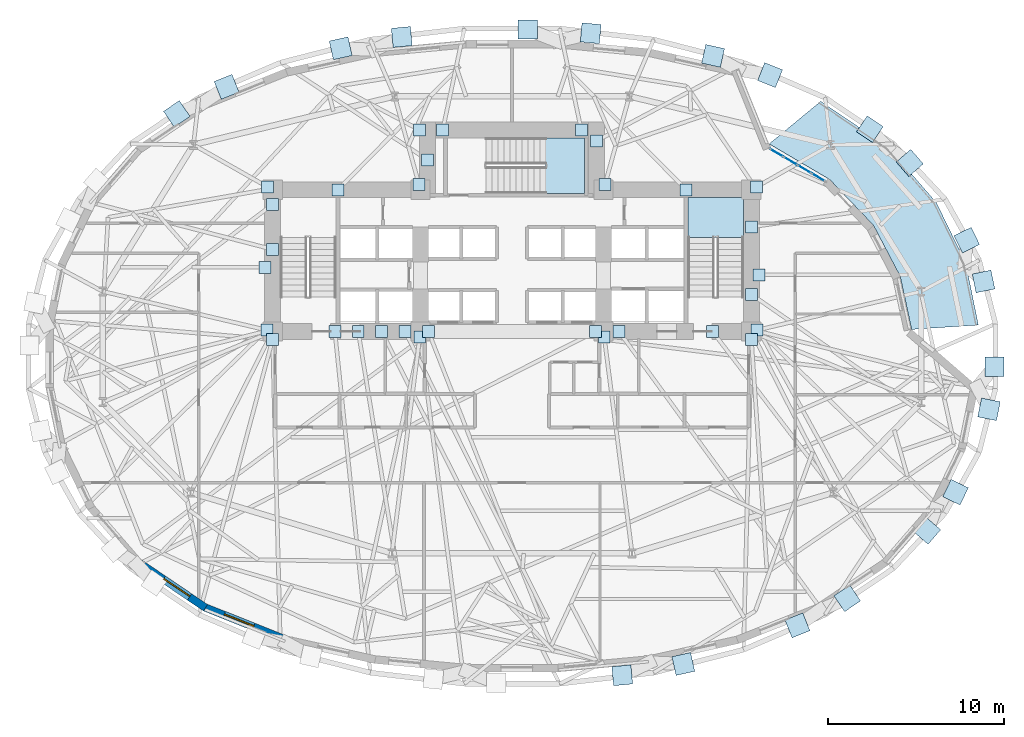
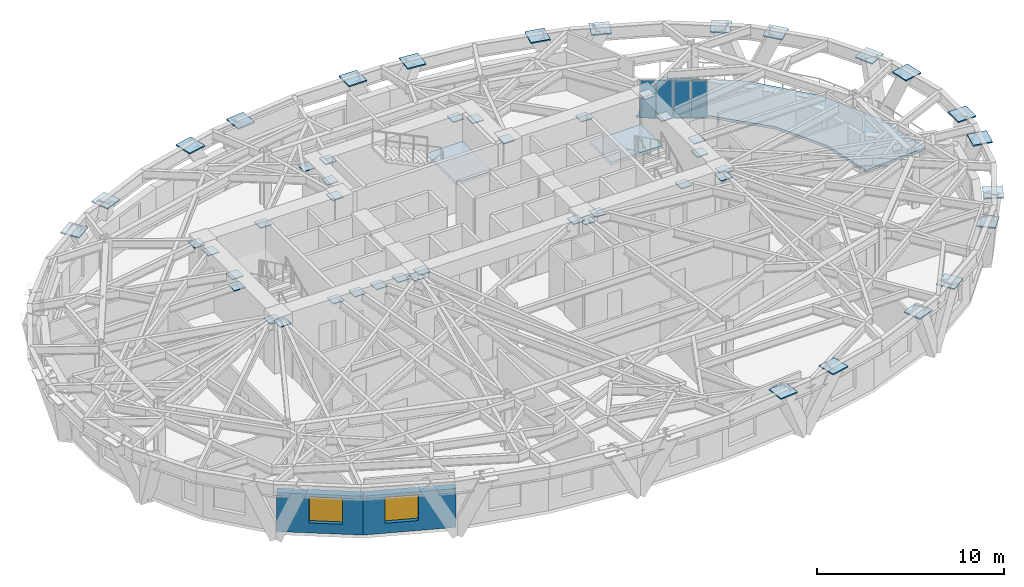
# One storey, part 6 of 15: 55 plates, 3 slabs, 2 walls, 2 windows, 2 openings, 3 elements without a shape of their own.
"""IFC4 building model written with IfcOpenShell, lengths in metres."""

from ifc_helpers import new_model, si_unit, direction, frame, frame_2d, origin, origin_2d, place, context, subcontext, project, spatial, polyline, rectangle, outline, extrude, material, layer, layer_set, type_object, element, fill, aggregate, save


model = new_model("IFC4")

# Units and contexts
model_context = context("Model", 3, precision=1e-05, world=origin(), true_north=direction((0.0, 1.0)))
body_context = subcontext(model_context, "Body", "Model", "MODEL_VIEW")
ifc_project = project(units=[si_unit("LENGTHUNIT", "METRE"), si_unit("AREAUNIT", "SQUARE_METRE"), si_unit("VOLUMEUNIT", "CUBIC_METRE"), si_unit("PLANEANGLEUNIT", "RADIAN"), si_unit("MASSUNIT", "GRAM", prefix="KILO")], contexts=[model_context])

# Site, building, storey
site_placement = place(None, origin())
site = spatial("IfcSite", under=ifc_project, at=site_placement, CompositionType="ELEMENT")
building_placement = place(site_placement, origin())
building = spatial("IfcBuilding", under=site, at=building_placement, Name="Keldmark Tower", CompositionType="ELEMENT")
storey_placement = place(building_placement, frame((0.0, 0.0, 37.800048828125)))
storey = spatial("IfcBuildingStorey", under=building, at=storey_placement, Name="L09", CompositionType="ELEMENT", Elevation=37.800048828125)

# Plates
ifc_material_1 = material(Name="Steel ASTM A572 Grade 50", Category="steel")
ifc_layer_1 = layer(ifc_material_1, 0.06005859375)
ifc_layer_set_1 = layer_set([ifc_layer_1], Name="Steel ASTM A572 Grade 50")
plate_type_1 = type_object("IfcPlateType", Name="Belt Truss Kink Node Assembly KN01 60 mm", PredefinedType="USERDEFINED", material=ifc_layer_set_1)
for number, where, z_axis, x_axis, name in (
    (1, (13.91162109375, 1.473388671875, 3.09814453125), (0.0, 0.0, 1.0), (1.0, 0.0, 0.0), "L09 Core Wall Cast-In Embed Plate 201"),
    (2, (13.878173828125, 9.608154296875, 3.09814453125), (0.0, 0.0, 1.0), (1.0, 0.0, 0.0), "L09 Core Wall Cast-In Embed Plate 202"),
    (3, (5.28515625, 9.758544921875, 3.09814453125), (0.0, 0.0, 1.0), (1.0, 0.0, 0.0), "L09 Core Wall Cast-In Embed Plate 203"),
    (4, (-5.28515625, 9.758544921875, 3.09814453125), (0.0, 0.0, 1.0), (1.0, 0.0, 0.0), "L09 Core Wall Cast-In Embed Plate 204"),
    (5, (-13.878173828125, 9.608154296875, 3.09814453125), (0.0, 0.0, 1.0), (1.0, 0.0, 0.0), "L09 Core Wall Cast-In Embed Plate 205"),
    (6, (-13.91162109375, 1.473388671875, 3.09814453125), (0.0, 0.0, 1.0), (1.0, 0.0, 0.0), "L09 Core Wall Cast-In Embed Plate 206"),
    (7, (-5.24072265625, 1.08251953125, 3.09814453125), (0.0, 0.0, 1.0), (1.0, 0.0, 0.0), "L09 Core Wall Cast-In Embed Plate 207"),
    (8, (5.24072265625, 1.08251953125, 3.09814453125), (0.0, 0.0, 1.0), (1.0, 0.0, 0.0), "L09 Core Wall Cast-In Embed Plate 208"),
    (9, (9.892822265625, 9.449951171875, 3.10400390625), (0.0, 0.0, 1.0), (1.0, 0.0, 0.0), "L09 Core Wall Cast-In Embed Plate 209"),
    (10, (-9.892822265625, 9.449951171875, 3.10400390625), (0.0, 0.0, 1.0), (1.0, 0.0, 0.0), "L09 Core Wall Cast-In Embed Plate 210"),
    (11, (-5.25, 12.85009765625, 3.10400390625), (0.0, 0.0, 1.0), (1.0, 0.0, 0.0), "L09 Core Wall Cast-In Embed Plate 211"),
    (12, (-8.735595703125, 1.39990234375, 3.10400390625), (0.0, 0.0, 1.0), (1.0, 0.0, 0.0), "L09 Core Wall Cast-In Embed Plate 212"),
    (13, (-13.60009765625, 0.949951171875, 3.10400390625), (0.0, 0.0, 1.0), (1.0, 0.0, 0.0), "L09 Core Wall Cast-In Embed Plate 213"),
    (14, (-6.07861328125, 1.39990234375, 3.10400390625), (0.0, 0.0, 1.0), (1.0, 0.0, 0.0), "L09 Core Wall Cast-In Embed Plate 214"),
    (15, (13.60009765625, 0.949951171875, 3.10400390625), (0.0, 0.0, 1.0), (1.0, 0.0, 0.0), "L09 Core Wall Cast-In Embed Plate 215"),
    (16, (13.60009765625, 7.343017578125, 3.10400390625), (0.0, 0.0, 1.0), (1.0, 0.0, 0.0), "L09 Core Wall Cast-In Embed Plate 216"),
    (17, (4.800048828125, 12.22509765625, 3.10400390625), (0.0, 0.0, 1.0), (1.0, 0.0, 0.0), "L09 Core Wall Cast-In Embed Plate 217"),
    (18, (3.9375, 12.85009765625, 3.10400390625), (0.0, 0.0, 1.0), (1.0, 0.0, 0.0), "L09 Core Wall Cast-In Embed Plate 218"),
    (19, (-3.9375, 12.85009765625, 3.10400390625), (0.0, 0.0, 1.0), (1.0, 0.0, 0.0), "L09 Core Wall Cast-In Embed Plate 219"),
    (20, (-4.800048828125, 11.14990234375, 3.10400390625), (0.0, 0.0, 1.0), (1.0, 0.0, 0.0), "L09 Core Wall Cast-In Embed Plate 220"),
    (21, (-13.60009765625, 6.064208984375, 3.10400390625), (0.0, 0.0, 1.0), (1.0, 0.0, 0.0), "L09 Core Wall Cast-In Embed Plate 221"),
    (22, (-13.60009765625, 8.621337890625, 3.10400390625), (0.0, 0.0, 1.0), (1.0, 0.0, 0.0), "L09 Core Wall Cast-In Embed Plate 222"),
    (23, (4.75, 1.39990234375, 3.10400390625), (0.0, 0.0, 1.0), (1.0, 0.0, 0.0), "L09 Core Wall Cast-In Embed Plate 223"),
    (24, (-10.064208984375, 1.39990234375, 3.10400390625), (0.0, 0.0, 1.0), (1.0, 0.0, 0.0), "L09 Core Wall Cast-In Embed Plate 224"),
    (25, (-4.75, 1.39990234375, 3.10400390625), (0.0, 0.0, 1.0), (1.0, 0.0, 0.0), "L09 Core Wall Cast-In Embed Plate 225"),
    (26, (-7.406982421875, 1.39990234375, 3.10400390625), (0.0, 0.0, 1.0), (1.0, 0.0, 0.0), "L09 Core Wall Cast-In Embed Plate 226"),
    (27, (6.07861328125, 1.39990234375, 3.10400390625), (0.0, 0.0, 1.0), (1.0, 0.0, 0.0), "L09 Core Wall Cast-In Embed Plate 227"),
    (28, (11.392822265625, 1.39990234375, 3.10400390625), (0.0, 0.0, 1.0), (1.0, 0.0, 0.0), "L09 Core Wall Cast-In Embed Plate 228"),
    (29, (13.60009765625, 3.507080078125, 3.10400390625), (0.0, 0.0, 1.0), (1.0, 0.0, 0.0), "L09 Core Wall Cast-In Embed Plate 229"),
    (30, (-14.044921875, 5.0400390625, 3.14404296875), (0.0, 0.0, 1.0), (1.0, 0.0, 0.0), "L09 Core Wall Cast-In Embed Plate 230"),
    (31, (14.044921875, 4.6201171875, 3.14404296875), (0.0, 0.0, 1.0), (1.0, 0.0, 0.0), "L09 Core Wall Cast-In Embed Plate 231"),
):
    element("IfcPlate", number, at=place(storey_placement, frame(where, z_axis=z_axis, x_axis=x_axis)), inside=storey, type_object=plate_type_1, Name=name, ObjectType="CAP PLATE", PredefinedType="USERDEFINED", context=body_context, shape_type="SweptSolid", body=[
        extrude(rectangle(XDim=0.679931640625, YDim=0.679931640625, at=origin_2d()), origin(), (0.0, 0.0, 1.0), 0.054931640625),
    ])
ifc_material_2 = material(Name="Steel ASTM A572 Grade 50", Category="steel")
ifc_layer_2 = layer(ifc_material_2, 0.074951171875)
ifc_layer_set_2 = layer_set([ifc_layer_2], Name="Steel ASTM A572 Grade 50")
plate_type_2 = type_object("IfcPlateType", Name="Diagrid Node Assembly DN01 75 mm", PredefinedType="USERDEFINED", material=ifc_layer_set_2)
for number, where, z_axis, x_axis, name in (
    (32, (26.787841796875, 4.24169921875, 3.24267578125), (0.0, 0.0, 1.0), (-0.19988099444, 0.979820181493, 0.0), "L09 Diagrid Node Assembly 01"),
    (33, (25.837646484375, 6.590087890625, 3.24267578125), (0.0, 0.0, 1.0), (-0.437429691673, 0.899252614588, 0.0), "L09 Diagrid Node Assembly 02"),
    (34, (22.598388671875, 10.9775390625, 3.24267578125), (0.0, 0.0, 1.0), (-0.655531982473, 0.755167411873, 0.0), "L09 Diagrid Node Assembly 03"),
    (35, (20.330810546875, 12.89208984375, 3.24267578125), (0.0, 0.0, 1.0), (-0.827962472047, 0.560783509816, 0.0), "L09 Diagrid Node Assembly 04"),
    (36, (14.65966796875, 15.96533203125, 3.24267578125), (0.0, 0.0, 1.0), (-0.9290680244, 0.369908915867, 0.0), "L09 Diagrid Node Assembly 05"),
    (37, (11.424072265625, 17.057861328125, 3.24267578125), (0.0, 0.0, 1.0), (-0.975992848837, 0.217802568899, 0.0), "L09 Diagrid Node Assembly 06"),
    (38, (4.469482421875, 18.34423828125, 3.24267578125), (0.0, 0.0, 1.0), (-0.995643710507, 0.093239485886, 0.0), "L09 Diagrid Node Assembly 07"),
    (39, (0.895751953125, 18.551513671875, 3.24267578125), (0.0, 0.0, 1.0), (-1.0, 0.0, 0.0), "L09 Diagrid Node Assembly 08"),
    (40, (-6.2626953125, 18.132568359375, 3.24267578125), (0.0, 0.0, 1.0), (-0.995643710507, -0.093239485886, 0.0), "L09 Diagrid Node Assembly 09"),
    (41, (-9.73388671875, 17.489501953125, 3.24267578125), (0.0, 0.0, 1.0), (-0.975992848837, -0.217802568899, 0.0), "L09 Diagrid Node Assembly 10"),
    (42, (-16.2138671875, 15.2958984375, 3.24267578125), (0.0, 0.0, 1.0), (-0.9290680244, -0.369908915867, 0.0), "L09 Diagrid Node Assembly 11"),
    (43, (-19.043701171875, 13.761474609375, 3.24267578125), (0.0, 0.0, 1.0), (-0.827962472047, -0.560783509816, 0.0), "L09 Diagrid Node Assembly 12"),
    (44, (6.2626953125, -18.132568359375, 3.24267578125), (0.0, 0.0, 1.0), (0.995643710507, 0.093239485886, 0.0), "L09 Diagrid Node Assembly 25"),
    (45, (9.73388671875, -17.489501953125, 3.24267578125), (0.0, 0.0, 1.0), (0.975992848837, 0.217802568899, 0.0), "L09 Diagrid Node Assembly 26"),
    (46, (16.2138671875, -15.2958984375, 3.24267578125), (0.0, 0.0, 1.0), (0.9290680244, 0.369908915867, 0.0), "L09 Diagrid Node Assembly 27"),
    (47, (19.043701171875, -13.761474609375, 3.24267578125), (0.0, 0.0, 1.0), (0.827962472047, 0.560783509816, 0.0), "L09 Diagrid Node Assembly 28"),
    (48, (23.58349609375, -9.92138671875, 3.24267578125), (0.0, 0.0, 1.0), (0.655531982473, 0.755167411873, 0.0), "L09 Diagrid Node Assembly 29"),
    (49, (25.19873046875, -7.73193359375, 3.24267578125), (0.0, 0.0, 1.0), (0.437429691673, 0.899252614588, 0.0), "L09 Diagrid Node Assembly 30"),
    (50, (27.099365234375, -3.02294921875, 3.24267578125), (0.0, 0.0, 1.0), (0.19988099444, 0.979820181493, 0.0), "L09 Diagrid Node Assembly 31"),
    (51, (27.40625, -0.60498046875, 3.24267578125), (0.0, 0.0, 1.0), (0.0, 1.0, 0.0), "L09 Diagrid Node Assembly 32"),
):
    element("IfcPlate", number, at=place(storey_placement, frame(where, z_axis=z_axis, x_axis=x_axis)), inside=storey, type_object=plate_type_2, Name=name, ObjectType="GUSSET", PredefinedType="USERDEFINED", context=body_context, shape_type="SweptSolid", body=[
        extrude(rectangle(XDim=1.090087890625, YDim=1.090087890625, at=origin_2d()), origin(), (0.0, 0.0, 1.0), 0.074951171875),
    ])

# Slab
ifc_material_3 = material(Name="Concrete C35/45", Category="concrete")
ifc_layer_3 = layer(ifc_material_3, 0.1650390625)
ifc_layer_set_3 = layer_set([ifc_layer_3], Name="Concrete C35/45")
slab_type_1 = type_object("IfcSlabType", Name="Planted Sky-Garden Terrace Slab 165 mm", PredefinedType="ROOF", material=ifc_layer_set_3)
slab_1_placement = place(storey_placement, frame((0.0, 0.0, -0.1650390625)))
element("IfcSlab", 52, at=slab_1_placement, inside=storey, type_object=slab_type_1, Name="Planted Sky-Garden Terrace Slab", PredefinedType="ROOF", context=body_context, shape_type="SweptSolid", body=[
    extrude(outline(polyline([(26.495361328125, 1.767578125), (25.775634765625, 5.29638671875), (24.106201171875, 8.727783203125), (21.37060546875, 11.8798828125), (17.538330078125, 14.4755859375), (14.607666015625, 12.056884765625), (18.04931640625, 10.03369140625), (20.533203125, 7.434326171875), (22.053466796875, 4.531494140625), (22.70361328125, 1.5146484375), (26.495361328125, 1.767578125)])), origin(), (0.0, 0.0, 1.0), 0.1650390625),
])

# Stair, slab
ifc_material_4 = material(Name="Concrete C40/50", Category="concrete")
stair_type = type_object("IfcStairType", Name="Precast Concrete Core Exit Stair", PredefinedType="HALF_TURN_STAIR", material=ifc_material_4)
stair_1_placement = place(storey_placement, origin())
stair_1 = element("IfcStair", 53, at=stair_1_placement, inside=storey, type_object=stair_type, Name="L09 Exit Stair ST2", PredefinedType="HALF_TURN_STAIR")
ifc_material_5 = material(Name="Concrete C40/50", Category="concrete")
ifc_layer_4 = layer(ifc_material_5, 0.199951171875)
ifc_layer_set_4 = layer_set([ifc_layer_4], Name="Concrete C40/50")
slab_type_2 = type_object("IfcSlabType", Name="Reinforced Concrete Stair Landing 200 mm", PredefinedType="LANDING", material=ifc_layer_set_4)
slab_2_placement = place(storey_placement, frame((0.0, 0.0, 1.599853515625)))
slab_2 = element("IfcSlab", 54, at=slab_2_placement, type_object=slab_type_2, Name="ST2 landing 1", PredefinedType="LANDING", context=body_context, shape_type="SweptSolid", body=[
    extrude(outline(polyline([(13.14990234375, 6.72998046875), (13.14990234375, 9.0), (10.0, 9.0), (10.0, 6.72998046875), (13.14990234375, 6.72998046875)])), origin(), (0.0, 0.0, 1.0), 0.2001953125),
])
aggregate(stair_1, [slab_2])

stair_2_placement = place(storey_placement, origin())
stair_2 = element("IfcStair", 55, at=stair_2_placement, inside=storey, type_object=stair_type, Name="L09 Exit Stair ST3", PredefinedType="HALF_TURN_STAIR")
slab_3_placement = place(storey_placement, frame((0.0, 0.0, 1.599853515625)))
slab_3 = element("IfcSlab", 56, at=slab_3_placement, type_object=slab_type_2, Name="ST3 landing 1", PredefinedType="LANDING", context=body_context, shape_type="SweptSolid", body=[
    extrude(outline(polyline([(1.905029296875, 9.25), (4.10498046875, 9.25), (4.10498046875, 12.39990234375), (1.905029296875, 12.39990234375), (1.905029296875, 9.25)])), origin(), (0.0, 0.0, 1.0), 0.2001953125),
])
aggregate(stair_2, [slab_3])

# Curtain wall, plates
ifc_material_6 = material(Name="Unitized Thermally Broken Aluminum and Triple Low-E Glazing", Category="aluminium")
ifc_layer_5 = layer(ifc_material_6, 0.219970703125)
ifc_layer_set_5 = layer_set([ifc_layer_5], Name="Unitized Thermally Broken Aluminum and Triple Low-E Glazing")
curtain_wall_type = type_object("IfcCurtainWallType", Name="Spiralling Sky-Garden Feature Curtain Wall System", PredefinedType="NOTDEFINED", material=ifc_layer_set_5)
curtain_wall_placement = place(storey_placement, origin())
curtain_wall = element("IfcCurtainWall", 57, at=curtain_wall_placement, inside=storey, type_object=curtain_wall_type, Name="L09 Spiralling Sky-Garden Feature Curtain Wall System CW-L09-04", PredefinedType="NOTDEFINED")
ifc_material_7 = material(Name="Triple Silver Low-E Insulated Glass Unit", Category="glass")
ifc_layer_6 = layer(ifc_material_7, 0.035888671875)
ifc_layer_set_6 = layer_set([ifc_layer_6], Name="Triple Silver Low-E Insulated Glass Unit")
plate_type_3 = type_object("IfcPlateType", Name="Triple Low-E Vision Glazing Panel 36 mm", PredefinedType="CURTAIN_PANEL", material=ifc_layer_set_6)
plate_1_placement = place(storey_placement, frame((15.02978515625, 11.553466796875, 0.06005859375), z_axis=(0.0, 0.0, 1.0), x_axis=(0.862076840325, -0.506777585707, 0.0)))
plate_1 = element("IfcPlate", 58, at=plate_1_placement, type_object=plate_type_3, Name="CW panel 1.1", PredefinedType="CURTAIN_PANEL", context=body_context, shape_type="SweptSolid", body=[
    extrude(rectangle(XDim=0.838134765625, YDim=0.035888671875, at=origin_2d()), origin(), (0.0, 0.0, 1.0), 2.408935546875),
])
plate_2_placement = place(storey_placement, frame((15.81689453125, 11.090576171875, 0.06005859375), z_axis=(0.0, 0.0, 1.0), x_axis=(0.862076840325, -0.506777585707, 0.0)))
plate_2 = element("IfcPlate", 59, at=plate_2_placement, type_object=plate_type_3, Name="CW panel 2.1", PredefinedType="CURTAIN_PANEL", context=body_context, shape_type="SweptSolid", body=[
    extrude(rectangle(XDim=0.867919921875, YDim=0.035888671875, at=origin_2d()), origin(), (0.0, 0.0, 1.0), 2.408935546875),
])
plate_3_placement = place(storey_placement, frame((16.616943359375, 10.620361328125, 0.06005859375), z_axis=(0.0, 0.0, 1.0), x_axis=(0.862076840325, -0.506777585707, 0.0)))
plate_3 = element("IfcPlate", 60, at=plate_3_placement, type_object=plate_type_3, Name="CW panel 3.1", PredefinedType="CURTAIN_PANEL", context=body_context, shape_type="SweptSolid", body=[
    extrude(rectangle(XDim=0.867919921875, YDim=0.035888671875, at=origin_2d()), origin(), (0.0, 0.0, 1.0), 2.408935546875),
])
plate_4_placement = place(storey_placement, frame((17.404052734375, 10.15771484375, 0.06005859375), z_axis=(0.0, 0.0, 1.0), x_axis=(0.862076840325, -0.506777585707, 0.0)))
plate_4 = element("IfcPlate", 61, at=plate_4_placement, type_object=plate_type_3, Name="CW panel 4.1", PredefinedType="CURTAIN_PANEL", context=body_context, shape_type="SweptSolid", body=[
    extrude(rectangle(XDim=0.838134765625, YDim=0.035888671875, at=origin_2d()), origin(), (0.0, 0.0, 1.0), 2.408935546875),
])
aggregate(curtain_wall, [plate_1, plate_2, plate_3, plate_4])

# Wall, opening, window
ifc_material_8 = material(Name="Ironspot Manganese Brick and Kasota Buff Limestone Spandrel Assembly", Category="masonry")
ifc_layer_7 = layer(ifc_material_8, 0.43994140625)
ifc_layer_set_7 = layer_set([ifc_layer_7], Name="Ironspot Manganese Brick and Kasota Buff Limestone Spandrel Assembly")
wall_type = type_object("IfcWallType", Name="Tower Brick Pier and Spandrel Wall 440 mm", PredefinedType="STANDARD", material=ifc_layer_set_7)
wall_1_placement = place(storey_placement, frame((-17.4150390625, -14.293701171875, 0.0), z_axis=(0.0, 0.0, 1.0), x_axis=(-0.827913159939, 0.560856309227, 0.0)))
wall_1 = element("IfcWall", 62, at=wall_1_placement, inside=storey, type_object=wall_type, Name="L09 Exterior Brick and Spandrel Wall 20", PredefinedType="STANDARD", context=body_context, shape_type="SweptSolid", body=[
    extrude(rectangle(XDim=4.628662109375, YDim=0.43994140625, at=frame_2d((2.314453125, 0.0))), origin(), (0.0, 0.0, 1.0), 2.532958984375),
])
opening_1_placement = place(wall_1_placement, frame((1.092041015625, 0.0, 0.64990234375)))
opening_1 = element("IfcOpeningElement", 63, at=opening_1_placement, cuts=wall_1, Name="Opening W-02", PredefinedType="OPENING", context=body_context, shape_type="SweptSolid", body=[
    extrude(rectangle(XDim=1.800048828125, YDim=1.699951171875, at=frame_2d((0.89990234375, 0.85009765625))), frame((0.0, 0.22998046875, 0.0), z_axis=(0.0, -1.0, 0.0), x_axis=(1.0, 0.0, 0.0)), (0.0, 0.0, 1.0), 0.4599609375),
])
ifc_material_9 = material(Name="Thermally Broken Anodized Aluminum and Triple Low-E Argon Glazing", Category="aluminium")
window_type = type_object("IfcWindowType", Name="Office Deep-Set Triple Window 1800x1700", PartitioningType="TRIPLE_PANEL_VERTICAL", PredefinedType="WINDOW", material=ifc_material_9)
window_1_placement = place(opening_1_placement, origin())
window_1 = element("IfcWindow", 64, at=window_1_placement, inside=storey, type_object=window_type, Name="L09 Deep-Set Window 20", OverallHeight=1.699951171875, OverallWidth=1.800048828125, PartitioningType="SINGLE_PANEL", PredefinedType="WINDOW", context=body_context, shape_type="SweptSolid", body=[
    extrude(rectangle(XDim=1.800048828125, YDim=1.699951171875, at=frame_2d((0.89990234375, 0.85009765625))), frame((0.0, -0.010009765625, 0.0), z_axis=(0.0, -1.0, 0.0), x_axis=(1.0, 0.0, 0.0)), (0.0, 0.0, 1.0), 0.06005859375),
])
fill(opening_1, window_1)

wall_2_placement = place(storey_placement, frame((-12.8037109375, -16.12451171875, 0.0), z_axis=(0.0, 0.0, 1.0), x_axis=(-0.929030310441, 0.370003624688, 0.0)))
wall_2 = element("IfcWall", 65, at=wall_2_placement, inside=storey, type_object=wall_type, Name="L09 Exterior Brick and Spandrel Wall 21", PredefinedType="STANDARD", context=body_context, shape_type="SweptSolid", body=[
    extrude(rectangle(XDim=5.0087890625, YDim=0.43994140625, at=frame_2d((2.50439453125, 0.0))), origin(), (0.0, 0.0, 1.0), 2.532958984375),
])
opening_2_placement = place(wall_2_placement, frame((2.023193359375, 0.0, 0.64990234375)))
opening_2 = element("IfcOpeningElement", 66, at=opening_2_placement, cuts=wall_2, Name="Opening W-02", PredefinedType="OPENING", context=body_context, shape_type="SweptSolid", body=[
    extrude(rectangle(XDim=1.800048828125, YDim=1.699951171875, at=frame_2d((0.89990234375, 0.85009765625))), frame((0.0, 0.22998046875, 0.0), z_axis=(0.0, -1.0, 0.0), x_axis=(1.0, 0.0, 0.0)), (0.0, 0.0, 1.0), 0.4599609375),
])
window_2_placement = place(opening_2_placement, origin())
window_2 = element("IfcWindow", 67, at=window_2_placement, inside=storey, type_object=window_type, Name="L09 Deep-Set Window 21", OverallHeight=1.699951171875, OverallWidth=1.800048828125, PartitioningType="SINGLE_PANEL", PredefinedType="WINDOW", context=body_context, shape_type="SweptSolid", body=[
    extrude(rectangle(XDim=1.800048828125, YDim=1.699951171875, at=frame_2d((0.89990234375, 0.85009765625))), frame((0.0, -0.010009765625, 0.0), z_axis=(0.0, -1.0, 0.0), x_axis=(1.0, 0.0, 0.0)), (0.0, 0.0, 1.0), 0.06005859375),
])
fill(opening_2, window_2)

save(model, "model.ifc")
